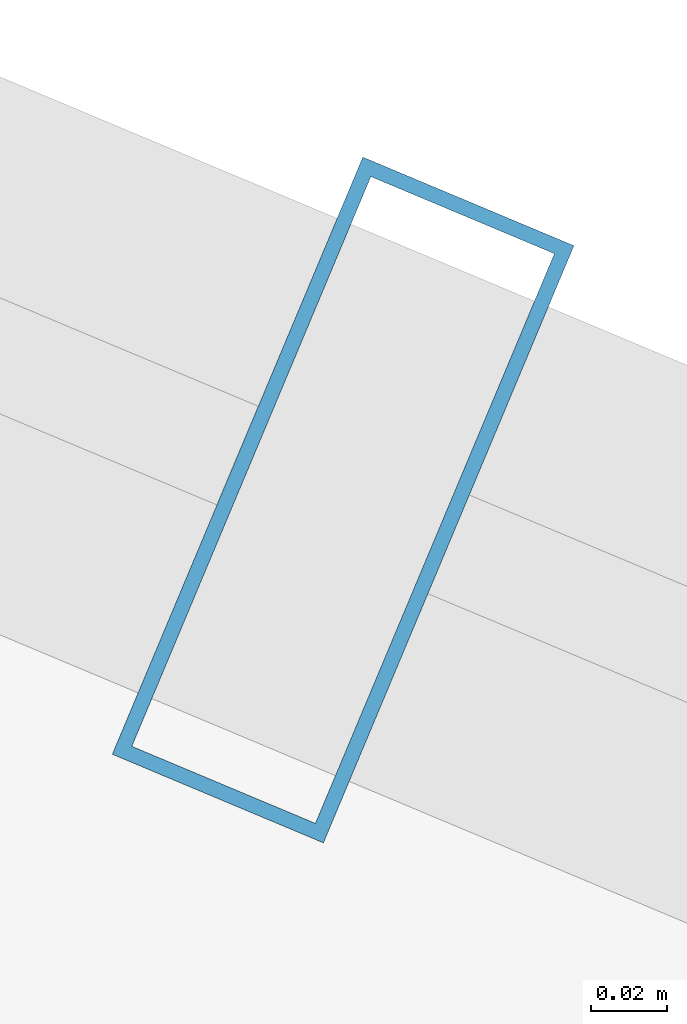
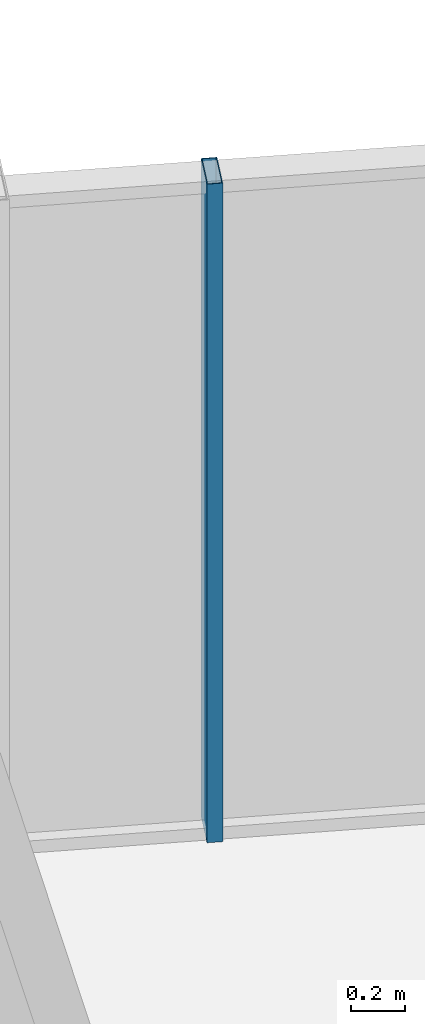
# One storey, part 25 of 33: 1 member, 1 element without a shape of its own.
"""IFC4 building model written with IfcOpenShell, lengths in metres."""

from ifc_helpers import new_model, si_unit, direction, frame, origin, origin_2d, place, context, subcontext, project, spatial, hollow_rectangle, extrude, source, transform, mapped, material, layer, layer_set, material_profile, profile_set, type_object, element, aggregate, save


model = new_model("IFC4")

# Units and contexts
model_context = context("Model", 3, precision=1e-05, world=origin(), true_north=direction((0.0, 1.0)))
body_context = subcontext(model_context, "Body", "Model", "MODEL_VIEW")
ifc_project = project(units=[si_unit("LENGTHUNIT", "METRE"), si_unit("AREAUNIT", "SQUARE_METRE"), si_unit("VOLUMEUNIT", "CUBIC_METRE"), si_unit("PLANEANGLEUNIT", "RADIAN"), si_unit("MASSUNIT", "GRAM", prefix="KILO")], contexts=[model_context])

# Site, building, storey
site_placement = place(None, origin())
site = spatial("IfcSite", under=ifc_project, at=site_placement, CompositionType="ELEMENT")
building_placement = place(site_placement, origin())
building = spatial("IfcBuilding", under=site, at=building_placement, Name="Veraguas Prism Commons", CompositionType="ELEMENT")
storey_placement = place(building_placement, frame((0.0, 0.0, 152.25)))
storey = spatial("IfcBuildingStorey", under=building, at=storey_placement, Name="L43", CompositionType="ELEMENT", Elevation=152.25)

# Curtain wall, member
ifc_material = material(Name="Anodised aluminium EN AW-6063 T6", Category="aluminium")
ifc_layer = layer(ifc_material, 0.169921875, Name="Unitised Flush Curtain Wall Zone 2", Category="aluminium")
ifc_layer_set = layer_set([ifc_layer], Name="Anodised aluminium EN AW-6063 T6")
curtain_wall_type = type_object("IfcCurtainWallType", Name="Unitised Flush Curtain Wall Zone 2", PredefinedType="NOTDEFINED", material=ifc_layer_set)
curtain_wall_placement = place(storey_placement, origin())
curtain_wall = element("IfcCurtainWall", 1, at=curtain_wall_placement, inside=storey, type_object=curtain_wall_type, Name="Tower Facade Curtain Wall L43-F1", PredefinedType="NOTDEFINED")
ifc_material_profile = material_profile(ifc_material, hollow_rectangle(XDim=0.06005859375, YDim=0.169921875, WallThickness=0.00390625, at=origin_2d()), Name="AL60X170X4")
ifc_profile_set = profile_set([ifc_material_profile], Name="Anodised aluminium EN AW-6063 T6")
member_type = type_object("IfcMemberType", Name="Curtain Wall Mullion Lower AL 60x170x4", PredefinedType="MULLION", material=ifc_profile_set)
shared_shape = source(origin(), body_context, "Body", "SweptSolid", [
    extrude(hollow_rectangle(XDim=0.06005859375, YDim=0.169921875, WallThickness=0.00390625, at=origin_2d()), origin(), (0.0, 0.0, 1.0), 3.0),
])
member_placement = place(storey_placement, frame((35.394287109375, 40.02197265625, 0.0), z_axis=(0.0, 0.0, 1.0), x_axis=(-0.922132113386, 0.38687512903, 0.0)))
member = element("IfcMember", 2, at=member_placement, type_object=member_type, Name="CW-Z2 Mullion 2", PredefinedType="MULLION", context=body_context, shape_type="MappedRepresentation", body=[
    mapped(shared_shape, transform((0.0, 0.0, 0.0), scale=1.0)),
])
aggregate(curtain_wall, [member])

save(model, "model.ifc")
